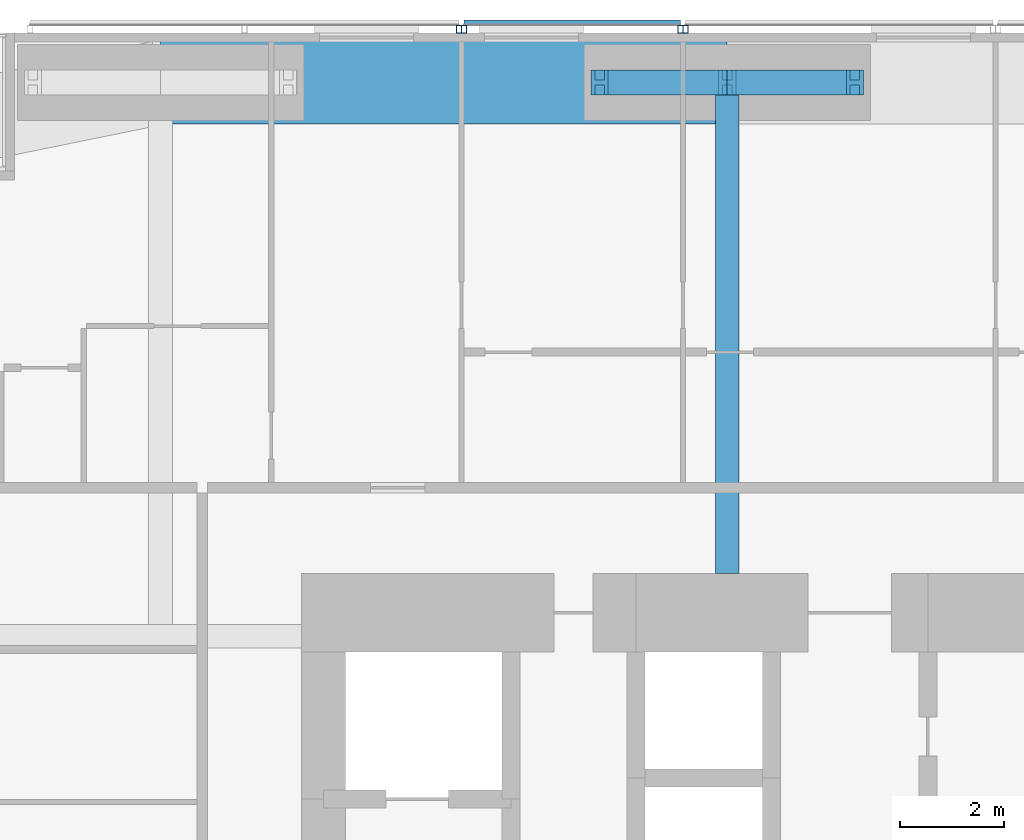
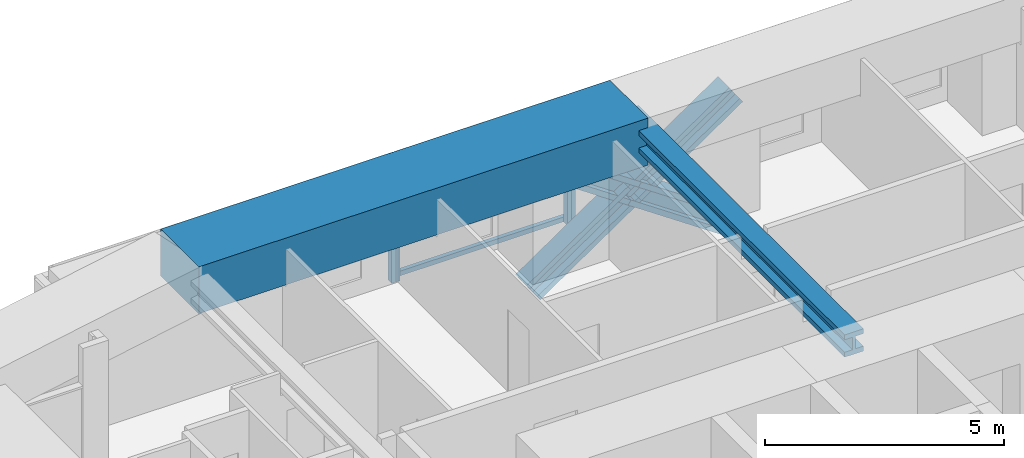
# One storey, part 12 of 23: 9 members, 2 beams, 3 elements without a shape of their own.
"""IFC4 building model written with IfcOpenShell, lengths in metres."""

from ifc_helpers import new_model, si_unit, direction, frame, origin, origin_2d, place, context, subcontext, project, spatial, rectangle, hollow_rectangle, i_section, extrude, material, material_profile, profile_set, type_object, element, aggregate, save


model = new_model("IFC4")

# Units and contexts
model_context = context("Model", 3, precision=1e-05, world=origin(), true_north=direction((0.0, 1.0)))
body_context = subcontext(model_context, "Body", "Model", "MODEL_VIEW")
ifc_project = project(units=[si_unit("LENGTHUNIT", "METRE"), si_unit("AREAUNIT", "SQUARE_METRE"), si_unit("VOLUMEUNIT", "CUBIC_METRE"), si_unit("PLANEANGLEUNIT", "RADIAN"), si_unit("MASSUNIT", "GRAM", prefix="KILO")], contexts=[model_context])

# Site, building, storey
site_placement = place(None, origin())
site = spatial("IfcSite", under=ifc_project, at=site_placement, CompositionType="ELEMENT")
building_placement = place(site_placement, origin())
building = spatial("IfcBuilding", under=site, at=building_placement, Name="Jalousie Tower", CompositionType="ELEMENT")
storey_placement = place(building_placement, frame((0.0, 0.0, 121.60009765625)))
storey = spatial("IfcBuildingStorey", under=building, at=storey_placement, Name="L33", CompositionType="ELEMENT", Elevation=121.60009765625)

# Beam
ifc_material_1 = material(Name="Steel ASTM A992 Grade 50", Category="steel")
ifc_material_profile_1 = material_profile(ifc_material_1, i_section(OverallWidth=0.45458984375, OverallDepth=0.569091796875, WebThickness=0.077880859375, FlangeThickness=0.124755859375, at=origin_2d()), Name="W14X730")
ifc_profile_set_1 = profile_set([ifc_material_profile_1], Name="Steel ASTM A992 Grade 50")
beam_type_1 = type_object("IfcBeamType", Name="LEAN COLLECTOR W14X730", PredefinedType="BEAM", material=ifc_profile_set_1)
beam_1_placement = place(storey_placement, frame((27.75, 37.050048828125, 2.825439453125), z_axis=(0.0, -1.0, 0.0), x_axis=(1.0, 0.0, 0.0)))
element("IfcBeam", 1, at=beam_1_placement, inside=storey, type_object=beam_type_1, Name="Lean collector under L34", PredefinedType="BEAM", context=body_context, shape_type="SweptSolid", body=[
    extrude(i_section(OverallWidth=0.45458984375, OverallDepth=0.569091796875, WebThickness=0.077880859375, FlangeThickness=0.124755859375, at=origin_2d()), origin(), (0.0, 0.0, 1.0), 9.425048828125),
])

# Members
ifc_material_2 = material(Name="Steel ASTM A992 Grade 50", Category="steel")
ifc_material_profile_2 = material_profile(ifc_material_2, i_section(OverallWidth=0.472412109375, OverallDepth=0.5791015625, WebThickness=0.094970703125, FlangeThickness=0.1298828125, at=origin_2d()), Name="W14X808")
ifc_profile_set_2 = profile_set([ifc_material_profile_2], Name="Steel ASTM A992 Grade 50")
member_type_1 = type_object("IfcMemberType", Name="PERIMETER BRACE W14X808", PredefinedType="BRACE", material=ifc_profile_set_2)
for number, where, z_axis, x_axis, name in (
    (2, (25.300048828125, 37.050048828125, -0.60009765625), (0.825500916831, 0.0, 0.564400776321), (0.0, 1.0, 0.0), "Perimeter brace 10 L33 part 1"),
    (3, (27.75, 37.050048828125, 1.074951171875), (0.825500916831, 0.0, 0.564400776321), (0.0, 1.0, 0.0), "Perimeter brace 10 L33 part 2"),
    (4, (30.199951171875, 37.050048828125, -0.60009765625), (-0.825500916831, 0.0, 0.564400776321), (0.0, -1.0, 0.0), "Perimeter brace 10 L33 part 3"),
    (5, (27.75, 37.050048828125, 1.074951171875), (-0.825500916831, 0.0, 0.564400776321), (0.0, -1.0, 0.0), "Perimeter brace 10 L33 part 4"),
):
    element("IfcMember", number, at=place(storey_placement, frame(where, z_axis=z_axis, x_axis=x_axis)), inside=storey, type_object=member_type_1, Name=name, PredefinedType="BRACE", context=body_context, shape_type="SweptSolid", body=[
        extrude(i_section(OverallWidth=0.472412109375, OverallDepth=0.5791015625, WebThickness=0.094970703125, FlangeThickness=0.1298828125, at=origin_2d()), origin(), (0.0, 0.0, 1.0), 2.9677734375),
    ])

# Beam
ifc_material_3 = material(Name="Concrete f'c 40 MPa", Category="concrete")
ifc_material_profile_3 = material_profile(ifc_material_3, rectangle(XDim=1.60009765625, YDim=1.199951171875, at=origin_2d()), Name="RC 1600x1200")
ifc_profile_set_3 = profile_set([ifc_material_profile_3], Name="Concrete f'c 40 MPa")
beam_type_2 = type_object("IfcBeamType", Name="RC BEAM 1600x1200", PredefinedType="BEAM", material=ifc_profile_set_3)
beam_2_placement = place(storey_placement, frame((27.75, 37.050048828125, 2.75), z_axis=(-1.0, 0.0, 0.0), x_axis=(0.0, -1.0, 0.0)))
element("IfcBeam", 6, at=beam_2_placement, inside=storey, type_object=beam_type_2, Name="Edge band beam 10-11 under L34", PredefinedType="BEAM", context=body_context, shape_type="SweptSolid", body=[
    extrude(rectangle(XDim=1.60009765625, YDim=1.199951171875, at=origin_2d()), origin(), (0.0, 0.0, 1.0), 10.875),
])

# Curtain wall, member
ifc_material_4 = material(Name="Perforated aluminium sheet", Category="aluminium")
curtain_wall_type = type_object("IfcCurtainWallType", Name="SOLAR SCREEN SS-1", PredefinedType="USERDEFINED", material=ifc_material_4)
curtain_wall_1_placement = place(storey_placement, origin())
curtain_wall_1 = element("IfcCurtainWall", 7, at=curtain_wall_1_placement, inside=storey, type_object=curtain_wall_type, Name="Solar screen L33", ObjectType="SOLAR SCREEN SS-1", PredefinedType="USERDEFINED")
ifc_material_5 = material(Name="Steel ASTM A500 Grade C", Category="steel")
ifc_material_profile_4 = material_profile(ifc_material_5, hollow_rectangle(XDim=0.1015625, YDim=0.15234375, WallThickness=0.00634765625, at=origin_2d()), Name="HSS6X4X1/4")
ifc_profile_set_4 = profile_set([ifc_material_profile_4], Name="Steel ASTM A500 Grade C")
member_type_2 = type_object("IfcMemberType", Name="SOLAR SCREEN SS-1 MULLION", PredefinedType="MULLION", material=ifc_profile_set_4)
member_1_placement = place(storey_placement, frame((26.949951171875, 38.0712890625, -0.1201171875), z_axis=(0.0, 0.0, 1.0), x_axis=(-1.0, 0.0, 0.0)))
member_1 = element("IfcMember", 8, at=member_1_placement, type_object=member_type_2, Name="SS1 post 2", PredefinedType="MULLION", context=body_context, shape_type="SweptSolid", body=[
    extrude(hollow_rectangle(XDim=0.1015625, YDim=0.15234375, WallThickness=0.00634765625, at=origin_2d()), origin(), (0.0, 0.0, 1.0), 3.22998046875),
])
aggregate(curtain_wall_1, [member_1])

# Curtain wall, members
curtain_wall_2_placement = place(storey_placement, origin())
curtain_wall_2 = element("IfcCurtainWall", 9, at=curtain_wall_2_placement, inside=storey, type_object=curtain_wall_type, Name="Solar screen L33", ObjectType="SOLAR SCREEN SS-1", PredefinedType="USERDEFINED")
member_2_placement = place(storey_placement, frame((26.85009765625, 38.0712890625, -0.1201171875), z_axis=(0.0, 0.0, 1.0), x_axis=(-1.0, 0.0, 0.0)))
member_2 = element("IfcMember", 10, at=member_2_placement, type_object=member_type_2, Name="SS1 post 1", PredefinedType="MULLION", context=body_context, shape_type="SweptSolid", body=[
    extrude(hollow_rectangle(XDim=0.1015625, YDim=0.15234375, WallThickness=0.00634765625, at=origin_2d()), origin(), (0.0, 0.0, 1.0), 3.22998046875),
])
member_3_placement = place(storey_placement, frame((22.699951171875, 38.0712890625, -0.1201171875), z_axis=(0.0, 0.0, 1.0), x_axis=(-1.0, 0.0, 0.0)))
member_3 = element("IfcMember", 11, at=member_3_placement, type_object=member_type_2, Name="SS1 post 2", PredefinedType="MULLION", context=body_context, shape_type="SweptSolid", body=[
    extrude(hollow_rectangle(XDim=0.1015625, YDim=0.15234375, WallThickness=0.00634765625, at=origin_2d()), origin(), (0.0, 0.0, 1.0), 3.22998046875),
])

# Curtain wall, member
curtain_wall_3_placement = place(storey_placement, origin())
curtain_wall_3 = element("IfcCurtainWall", 12, at=curtain_wall_3_placement, inside=storey, type_object=curtain_wall_type, Name="Solar screen L33", ObjectType="SOLAR SCREEN SS-1", PredefinedType="USERDEFINED")
member_4_placement = place(storey_placement, frame((22.60009765625, 38.0712890625, -0.1201171875), z_axis=(0.0, 0.0, 1.0), x_axis=(-1.0, 0.0, 0.0)))
member_4 = element("IfcMember", 13, at=member_4_placement, type_object=member_type_2, Name="SS1 post 1", PredefinedType="MULLION", context=body_context, shape_type="SweptSolid", body=[
    extrude(hollow_rectangle(XDim=0.1015625, YDim=0.15234375, WallThickness=0.00634765625, at=origin_2d()), origin(), (0.0, 0.0, 1.0), 3.22998046875),
])
aggregate(curtain_wall_3, [member_4])

# Member
ifc_material_6 = material(Name="Extruded aluminium screen rail", Category="aluminium")
ifc_material_profile_5 = material_profile(ifc_material_6, rectangle(XDim=0.1015625, YDim=0.1201171875, at=origin_2d()), Name="RAIL 102x120")
ifc_profile_set_5 = profile_set([ifc_material_profile_5], Name="Extruded aluminium screen rail")
member_type_3 = type_object("IfcMemberType", Name="SOLAR SCREEN SS-1 TRANSOM", PredefinedType="USERDEFINED", material=ifc_profile_set_5)
member_5_placement = place(storey_placement, frame((26.85009765625, 38.1982421875, -0.06005859375), z_axis=(-1.0, 0.0, 0.0), x_axis=(0.0, -1.0, 0.0)))
member_5 = element("IfcMember", 14, at=member_5_placement, type_object=member_type_3, Name="SS1 rail", ObjectType="TRANSOM", PredefinedType="USERDEFINED", context=body_context, shape_type="SweptSolid", body=[
    extrude(rectangle(XDim=0.1015625, YDim=0.1201171875, at=origin_2d()), origin(), (0.0, 0.0, 1.0), 4.150146484375),
])

aggregate(curtain_wall_2, [member_2, member_3, member_5])

save(model, "model.ifc")
